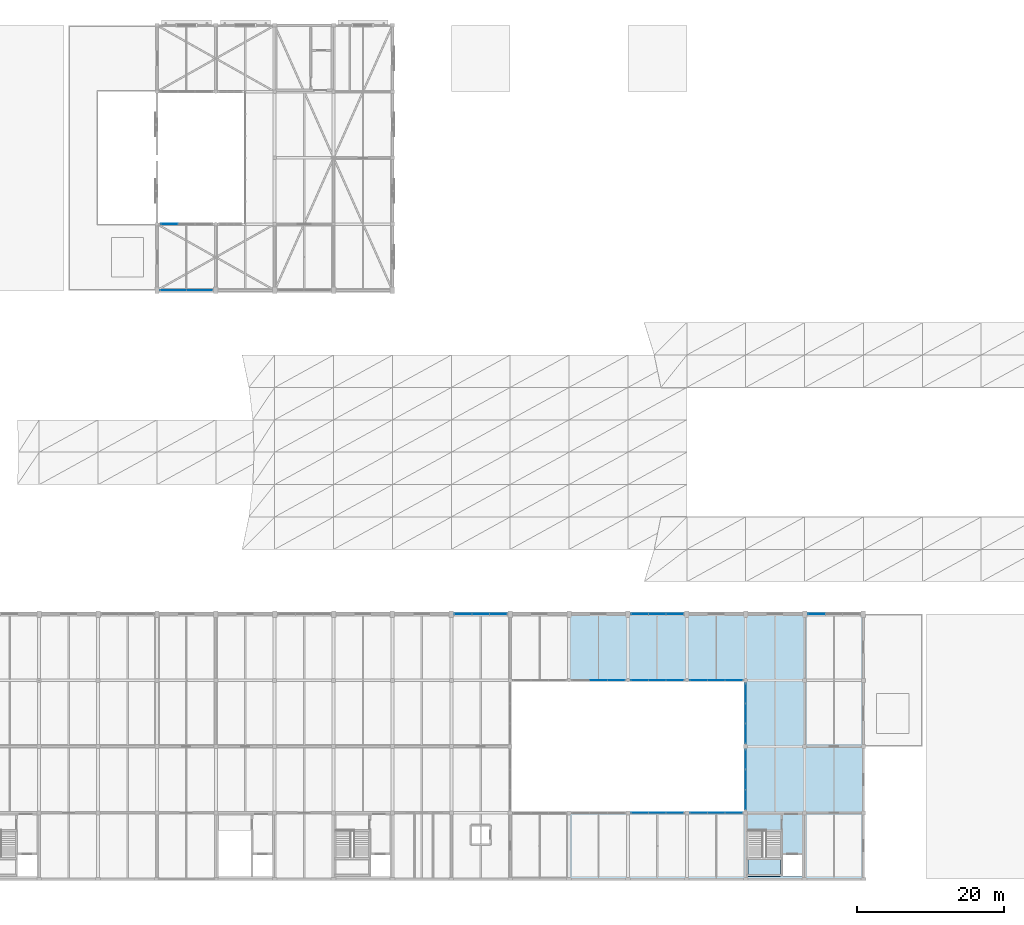
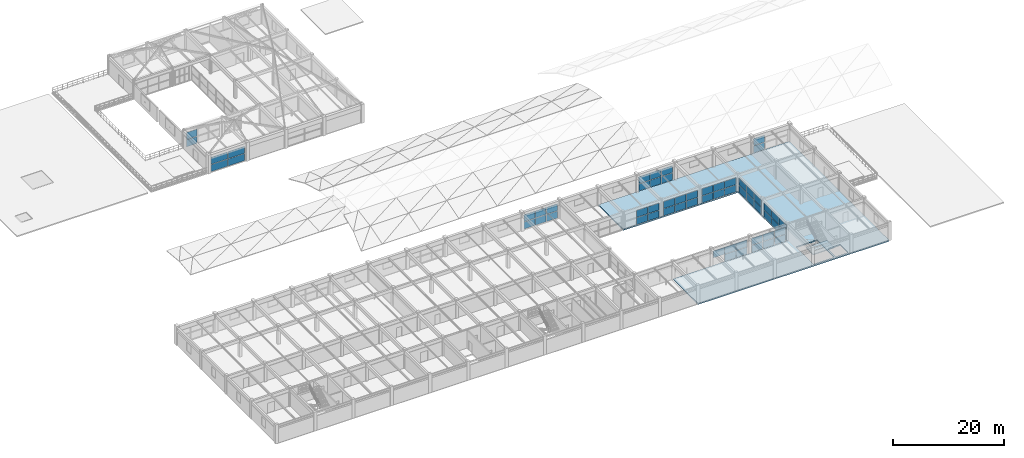
# One storey, part 38 of 63: 59 plates, 2 slabs, 13 elements without a shape of their own.
"""IFC4 building model written with IfcOpenShell, lengths in metres."""

from ifc_helpers import new_model, si_unit, direction, frame, origin, origin_2d, place, context, subcontext, project, spatial, polyline, rectangle, outline, extrude, material, layer, layer_set, type_object, element, aggregate, save


model = new_model("IFC4")

# Units and contexts
model_context = context("Model", 3, precision=1e-05, world=origin(), true_north=direction((0.0, 1.0)))
body_context = subcontext(model_context, "Body", "Model", "MODEL_VIEW")
ifc_project = project(units=[si_unit("LENGTHUNIT", "METRE"), si_unit("AREAUNIT", "SQUARE_METRE"), si_unit("VOLUMEUNIT", "CUBIC_METRE"), si_unit("PLANEANGLEUNIT", "RADIAN"), si_unit("MASSUNIT", "GRAM", prefix="KILO")], contexts=[model_context])

# Site, building, storey
site_placement = place(None, origin())
site = spatial("IfcSite", under=ifc_project, at=site_placement, CompositionType="ELEMENT")
building_placement = place(site_placement, origin())
building = spatial("IfcBuilding", under=site, at=building_placement, Name="Varnabhumi Central Station", CompositionType="ELEMENT")
storey_placement = place(building_placement, frame((0.0, 0.0, 20.39990234375)))
storey = spatial("IfcBuildingStorey", under=building, at=storey_placement, Name="L04", CompositionType="ELEMENT", Elevation=20.39990234375)

# Curtain wall, plates
ifc_material_1 = material(Name="Anodised aluminium 6063-T6", Category="aluminium")
curtain_wall_type_1 = type_object("IfcCurtainWallType", Name="CW-PATIO-LOGGIA-L3", PredefinedType="NOTDEFINED", material=ifc_material_1)
curtain_wall_1_placement = place(storey_placement, origin())
curtain_wall_1 = element("IfcCurtainWall", 1, at=curtain_wall_1_placement, inside=storey, type_object=curtain_wall_type_1, Name="Curtain Wall CW-SP4S3", PredefinedType="NOTDEFINED")
ifc_material_2 = material(Name="Laminated low-E double glazing", Category="glass")
ifc_layer_1 = layer(ifc_material_2, 0.035888671875, Name="Laminated low-E double glazing", Category="glass")
ifc_layer_set_1 = layer_set([ifc_layer_1], Name="Laminated low-E double glazing")
plate_type_1 = type_object("IfcPlateType", Name="CW-PNL-GLZ-1", PredefinedType="CURTAIN_PANEL", material=ifc_layer_set_1)
plate_1_placement = place(storey_placement, frame((129.61328125, 9.0, 1.66015625), z_axis=(0.0, 0.0, 1.0), x_axis=(1.0, 0.0, 0.0)))
plate_1 = element("IfcPlate", 2, at=plate_1_placement, type_object=plate_type_1, Name="Glazed Panel CW-SP4S3-P12", PredefinedType="CURTAIN_PANEL", context=body_context, shape_type="SweptSolid", body=[
    extrude(rectangle(XDim=2.306640625, YDim=0.035888671875, at=origin_2d()), origin(), (0.0, 0.0, 1.0), 1.5400390625),
])
plate_2_placement = place(storey_placement, frame((132.0, 9.0, 0.0400390625), z_axis=(0.0, 0.0, 1.0), x_axis=(1.0, 0.0, 0.0)))
plate_2 = element("IfcPlate", 3, at=plate_2_placement, type_object=plate_type_1, Name="Glazed Panel CW-SP4S3-P21", PredefinedType="CURTAIN_PANEL", context=body_context, shape_type="SweptSolid", body=[
    extrude(rectangle(XDim=2.306640625, YDim=0.035888671875, at=origin_2d()), origin(), (0.0, 0.0, 1.0), 1.5400390625),
])
plate_3_placement = place(storey_placement, frame((132.0, 9.0, 1.66015625), z_axis=(0.0, 0.0, 1.0), x_axis=(1.0, 0.0, 0.0)))
plate_3 = element("IfcPlate", 4, at=plate_3_placement, type_object=plate_type_1, Name="Glazed Panel CW-SP4S3-P22", PredefinedType="CURTAIN_PANEL", context=body_context, shape_type="SweptSolid", body=[
    extrude(rectangle(XDim=2.306640625, YDim=0.035888671875, at=origin_2d()), origin(), (0.0, 0.0, 1.0), 1.5400390625),
])
plate_4_placement = place(storey_placement, frame((134.38671875, 9.0, 0.0400390625), z_axis=(0.0, 0.0, 1.0), x_axis=(1.0, 0.0, 0.0)))
plate_4 = element("IfcPlate", 5, at=plate_4_placement, type_object=plate_type_1, Name="Glazed Panel CW-SP4S3-P31", PredefinedType="CURTAIN_PANEL", context=body_context, shape_type="SweptSolid", body=[
    extrude(rectangle(XDim=2.306640625, YDim=0.035888671875, at=origin_2d()), origin(), (0.0, 0.0, 1.0), 1.5400390625),
])
plate_5_placement = place(storey_placement, frame((134.38671875, 9.0, 1.66015625), z_axis=(0.0, 0.0, 1.0), x_axis=(1.0, 0.0, 0.0)))
plate_5 = element("IfcPlate", 6, at=plate_5_placement, type_object=plate_type_1, Name="Glazed Panel CW-SP4S3-P32", PredefinedType="CURTAIN_PANEL", context=body_context, shape_type="SweptSolid", body=[
    extrude(rectangle(XDim=2.306640625, YDim=0.035888671875, at=origin_2d()), origin(), (0.0, 0.0, 1.0), 1.5400390625),
])
aggregate(curtain_wall_1, [plate_1, plate_2, plate_3, plate_4, plate_5])

curtain_wall_2_placement = place(storey_placement, origin())
curtain_wall_2 = element("IfcCurtainWall", 7, at=curtain_wall_2_placement, inside=storey, type_object=curtain_wall_type_1, Name="Curtain Wall CW-SP4N3", PredefinedType="NOTDEFINED")
plate_6_placement = place(storey_placement, frame((129.61328125, 27.0, 0.0400390625), z_axis=(0.0, 0.0, 1.0), x_axis=(1.0, 0.0, 0.0)))
plate_6 = element("IfcPlate", 8, at=plate_6_placement, type_object=plate_type_1, Name="Glazed Panel CW-SP4N3-P11", PredefinedType="CURTAIN_PANEL", context=body_context, shape_type="SweptSolid", body=[
    extrude(rectangle(XDim=2.306640625, YDim=0.035888671875, at=origin_2d()), origin(), (0.0, 0.0, 1.0), 1.5400390625),
])
plate_7_placement = place(storey_placement, frame((129.61328125, 27.0, 1.66015625), z_axis=(0.0, 0.0, 1.0), x_axis=(1.0, 0.0, 0.0)))
plate_7 = element("IfcPlate", 9, at=plate_7_placement, type_object=plate_type_1, Name="Glazed Panel CW-SP4N3-P12", PredefinedType="CURTAIN_PANEL", context=body_context, shape_type="SweptSolid", body=[
    extrude(rectangle(XDim=2.306640625, YDim=0.035888671875, at=origin_2d()), origin(), (0.0, 0.0, 1.0), 1.5400390625),
])
plate_8_placement = place(storey_placement, frame((132.0, 27.0, 0.0400390625), z_axis=(0.0, 0.0, 1.0), x_axis=(1.0, 0.0, 0.0)))
plate_8 = element("IfcPlate", 10, at=plate_8_placement, type_object=plate_type_1, Name="Glazed Panel CW-SP4N3-P21", PredefinedType="CURTAIN_PANEL", context=body_context, shape_type="SweptSolid", body=[
    extrude(rectangle(XDim=2.306640625, YDim=0.035888671875, at=origin_2d()), origin(), (0.0, 0.0, 1.0), 1.5400390625),
])
plate_9_placement = place(storey_placement, frame((132.0, 27.0, 1.66015625), z_axis=(0.0, 0.0, 1.0), x_axis=(1.0, 0.0, 0.0)))
plate_9 = element("IfcPlate", 11, at=plate_9_placement, type_object=plate_type_1, Name="Glazed Panel CW-SP4N3-P22", PredefinedType="CURTAIN_PANEL", context=body_context, shape_type="SweptSolid", body=[
    extrude(rectangle(XDim=2.306640625, YDim=0.035888671875, at=origin_2d()), origin(), (0.0, 0.0, 1.0), 1.5400390625),
])
plate_10_placement = place(storey_placement, frame((134.38671875, 27.0, 0.0400390625), z_axis=(0.0, 0.0, 1.0), x_axis=(1.0, 0.0, 0.0)))
plate_10 = element("IfcPlate", 12, at=plate_10_placement, type_object=plate_type_1, Name="Glazed Panel CW-SP4N3-P31", PredefinedType="CURTAIN_PANEL", context=body_context, shape_type="SweptSolid", body=[
    extrude(rectangle(XDim=2.306640625, YDim=0.035888671875, at=origin_2d()), origin(), (0.0, 0.0, 1.0), 1.5400390625),
])
plate_11_placement = place(storey_placement, frame((134.38671875, 27.0, 1.66015625), z_axis=(0.0, 0.0, 1.0), x_axis=(1.0, 0.0, 0.0)))
plate_11 = element("IfcPlate", 13, at=plate_11_placement, type_object=plate_type_1, Name="Glazed Panel CW-SP4N3-P32", PredefinedType="CURTAIN_PANEL", context=body_context, shape_type="SweptSolid", body=[
    extrude(rectangle(XDim=2.306640625, YDim=0.035888671875, at=origin_2d()), origin(), (0.0, 0.0, 1.0), 1.5400390625),
])
aggregate(curtain_wall_2, [plate_6, plate_7, plate_8, plate_9, plate_10, plate_11])

curtain_wall_type_2 = type_object("IfcCurtainWallType", Name="CW-SPINE-SCREEN-L0", PredefinedType="NOTDEFINED", material=ifc_material_1)
curtain_wall_3_placement = place(storey_placement, origin())
curtain_wall_3 = element("IfcCurtainWall", 14, at=curtain_wall_3_placement, inside=storey, type_object=curtain_wall_type_2, Name="Curtain Wall CW-SS415", PredefinedType="NOTDEFINED")
ifc_layer_2 = layer(ifc_material_2, 0.035888671875, Name="Laminated low-E double glazing", Category="glass")
ifc_layer_set_2 = layer_set([ifc_layer_2], Name="Laminated low-E double glazing")
plate_type_2 = type_object("IfcPlateType", Name="CW-PNL-GLZ-2", PredefinedType="CURTAIN_PANEL", material=ifc_layer_set_2)
plate_12_placement = place(storey_placement, frame((153.63330078125, 36.0, 0.0400390625), z_axis=(0.0, 0.0, 1.0), x_axis=(1.0, 0.0, 0.0)))
plate_12 = element("IfcPlate", 15, at=plate_12_placement, type_object=plate_type_2, Name="Glazed Panel CW-SS415-P11", PredefinedType="CURTAIN_PANEL", context=body_context, shape_type="SweptSolid", body=[
    extrude(rectangle(XDim=2.28662109375, YDim=0.035888671875, at=origin_2d()), origin(), (0.0, 0.0, 1.0), 1.5400390625),
])
plate_13_placement = place(storey_placement, frame((153.63330078125, 36.0, 1.66015625), z_axis=(0.0, 0.0, 1.0), x_axis=(1.0, 0.0, 0.0)))
plate_13 = element("IfcPlate", 16, at=plate_13_placement, type_object=plate_type_2, Name="Glazed Panel CW-SS415-P12", PredefinedType="CURTAIN_PANEL", context=body_context, shape_type="SweptSolid", body=[
    extrude(rectangle(XDim=2.28662109375, YDim=0.035888671875, at=origin_2d()), origin(), (0.0, 0.0, 1.0), 1.5400390625),
])
aggregate(curtain_wall_3, [plate_12, plate_13])

curtain_wall_4_placement = place(storey_placement, origin())
curtain_wall_4 = element("IfcCurtainWall", 17, at=curtain_wall_4_placement, inside=storey, type_object=curtain_wall_type_1, Name="Curtain Wall CW-SP4S4", PredefinedType="NOTDEFINED")
plate_14_placement = place(storey_placement, frame((137.61328125, 9.0, 0.0400390625), z_axis=(0.0, 0.0, 1.0), x_axis=(1.0, 0.0, 0.0)))
plate_14 = element("IfcPlate", 18, at=plate_14_placement, type_object=plate_type_2, Name="Glazed Panel CW-SP4S4-P11", PredefinedType="CURTAIN_PANEL", context=body_context, shape_type="SweptSolid", body=[
    extrude(rectangle(XDim=2.306640625, YDim=0.035888671875, at=origin_2d()), origin(), (0.0, 0.0, 1.0), 1.5400390625),
])
plate_15_placement = place(storey_placement, frame((137.61328125, 9.0, 1.66015625), z_axis=(0.0, 0.0, 1.0), x_axis=(1.0, 0.0, 0.0)))
plate_15 = element("IfcPlate", 19, at=plate_15_placement, type_object=plate_type_2, Name="Glazed Panel CW-SP4S4-P12", PredefinedType="CURTAIN_PANEL", context=body_context, shape_type="SweptSolid", body=[
    extrude(rectangle(XDim=2.306640625, YDim=0.035888671875, at=origin_2d()), origin(), (0.0, 0.0, 1.0), 1.5400390625),
])
plate_16_placement = place(storey_placement, frame((140.0, 9.0, 0.0400390625), z_axis=(0.0, 0.0, 1.0), x_axis=(1.0, 0.0, 0.0)))
plate_16 = element("IfcPlate", 20, at=plate_16_placement, type_object=plate_type_2, Name="Glazed Panel CW-SP4S4-P21", PredefinedType="CURTAIN_PANEL", context=body_context, shape_type="SweptSolid", body=[
    extrude(rectangle(XDim=2.306640625, YDim=0.035888671875, at=origin_2d()), origin(), (0.0, 0.0, 1.0), 1.5400390625),
])
plate_17_placement = place(storey_placement, frame((140.0, 9.0, 1.66015625), z_axis=(0.0, 0.0, 1.0), x_axis=(1.0, 0.0, 0.0)))
plate_17 = element("IfcPlate", 21, at=plate_17_placement, type_object=plate_type_2, Name="Glazed Panel CW-SP4S4-P22", PredefinedType="CURTAIN_PANEL", context=body_context, shape_type="SweptSolid", body=[
    extrude(rectangle(XDim=2.306640625, YDim=0.035888671875, at=origin_2d()), origin(), (0.0, 0.0, 1.0), 1.5400390625),
])
plate_18_placement = place(storey_placement, frame((142.38671875, 9.0, 0.0400390625), z_axis=(0.0, 0.0, 1.0), x_axis=(1.0, 0.0, 0.0)))
plate_18 = element("IfcPlate", 22, at=plate_18_placement, type_object=plate_type_2, Name="Glazed Panel CW-SP4S4-P31", PredefinedType="CURTAIN_PANEL", context=body_context, shape_type="SweptSolid", body=[
    extrude(rectangle(XDim=2.306640625, YDim=0.035888671875, at=origin_2d()), origin(), (0.0, 0.0, 1.0), 1.5400390625),
])
plate_19_placement = place(storey_placement, frame((142.38671875, 9.0, 1.66015625), z_axis=(0.0, 0.0, 1.0), x_axis=(1.0, 0.0, 0.0)))
plate_19 = element("IfcPlate", 23, at=plate_19_placement, type_object=plate_type_2, Name="Glazed Panel CW-SP4S4-P32", PredefinedType="CURTAIN_PANEL", context=body_context, shape_type="SweptSolid", body=[
    extrude(rectangle(XDim=2.306640625, YDim=0.035888671875, at=origin_2d()), origin(), (0.0, 0.0, 1.0), 1.5400390625),
])
aggregate(curtain_wall_4, [plate_14, plate_15, plate_16, plate_17, plate_18, plate_19])

curtain_wall_5_placement = place(storey_placement, origin())
curtain_wall_5 = element("IfcCurtainWall", 24, at=curtain_wall_5_placement, inside=storey, type_object=curtain_wall_type_1, Name="Curtain Wall CW-SP4N4", PredefinedType="NOTDEFINED")
plate_20_placement = place(storey_placement, frame((137.61328125, 27.0, 0.0400390625), z_axis=(0.0, 0.0, 1.0), x_axis=(1.0, 0.0, 0.0)))
plate_20 = element("IfcPlate", 25, at=plate_20_placement, type_object=plate_type_2, Name="Glazed Panel CW-SP4N4-P11", PredefinedType="CURTAIN_PANEL", context=body_context, shape_type="SweptSolid", body=[
    extrude(rectangle(XDim=2.306640625, YDim=0.035888671875, at=origin_2d()), origin(), (0.0, 0.0, 1.0), 1.5400390625),
])
plate_21_placement = place(storey_placement, frame((137.61328125, 27.0, 1.66015625), z_axis=(0.0, 0.0, 1.0), x_axis=(1.0, 0.0, 0.0)))
plate_21 = element("IfcPlate", 26, at=plate_21_placement, type_object=plate_type_2, Name="Glazed Panel CW-SP4N4-P12", PredefinedType="CURTAIN_PANEL", context=body_context, shape_type="SweptSolid", body=[
    extrude(rectangle(XDim=2.306640625, YDim=0.035888671875, at=origin_2d()), origin(), (0.0, 0.0, 1.0), 1.5400390625),
])
plate_22_placement = place(storey_placement, frame((140.0, 27.0, 0.0400390625), z_axis=(0.0, 0.0, 1.0), x_axis=(1.0, 0.0, 0.0)))
plate_22 = element("IfcPlate", 27, at=plate_22_placement, type_object=plate_type_2, Name="Glazed Panel CW-SP4N4-P21", PredefinedType="CURTAIN_PANEL", context=body_context, shape_type="SweptSolid", body=[
    extrude(rectangle(XDim=2.306640625, YDim=0.035888671875, at=origin_2d()), origin(), (0.0, 0.0, 1.0), 1.5400390625),
])
plate_23_placement = place(storey_placement, frame((140.0, 27.0, 1.66015625), z_axis=(0.0, 0.0, 1.0), x_axis=(1.0, 0.0, 0.0)))
plate_23 = element("IfcPlate", 28, at=plate_23_placement, type_object=plate_type_2, Name="Glazed Panel CW-SP4N4-P22", PredefinedType="CURTAIN_PANEL", context=body_context, shape_type="SweptSolid", body=[
    extrude(rectangle(XDim=2.306640625, YDim=0.035888671875, at=origin_2d()), origin(), (0.0, 0.0, 1.0), 1.5400390625),
])
plate_24_placement = place(storey_placement, frame((142.38671875, 27.0, 0.0400390625), z_axis=(0.0, 0.0, 1.0), x_axis=(1.0, 0.0, 0.0)))
plate_24 = element("IfcPlate", 29, at=plate_24_placement, type_object=plate_type_2, Name="Glazed Panel CW-SP4N4-P31", PredefinedType="CURTAIN_PANEL", context=body_context, shape_type="SweptSolid", body=[
    extrude(rectangle(XDim=2.306640625, YDim=0.035888671875, at=origin_2d()), origin(), (0.0, 0.0, 1.0), 1.5400390625),
])
plate_25_placement = place(storey_placement, frame((142.38671875, 27.0, 1.66015625), z_axis=(0.0, 0.0, 1.0), x_axis=(1.0, 0.0, 0.0)))
plate_25 = element("IfcPlate", 30, at=plate_25_placement, type_object=plate_type_2, Name="Glazed Panel CW-SP4N4-P32", PredefinedType="CURTAIN_PANEL", context=body_context, shape_type="SweptSolid", body=[
    extrude(rectangle(XDim=2.306640625, YDim=0.035888671875, at=origin_2d()), origin(), (0.0, 0.0, 1.0), 1.5400390625),
])
aggregate(curtain_wall_5, [plate_20, plate_21, plate_22, plate_23, plate_24, plate_25])

curtain_wall_6_placement = place(storey_placement, origin())
curtain_wall_6 = element("IfcCurtainWall", 31, at=curtain_wall_6_placement, inside=storey, type_object=curtain_wall_type_1, Name="Curtain Wall CW-SP4W1", PredefinedType="NOTDEFINED")
ifc_layer_3 = layer(ifc_material_2, 0.035888671875, Name="Laminated low-E double glazing", Category="glass")
ifc_layer_set_3 = layer_set([ifc_layer_3], Name="Laminated low-E double glazing")
plate_type_3 = type_object("IfcPlateType", Name="CW-PNL-GLZ-3", PredefinedType="CURTAIN_PANEL", material=ifc_layer_set_3)
plate_26_placement = place(storey_placement, frame((144.0, 10.780029296875, 0.0400390625), z_axis=(0.0, 0.0, 1.0), x_axis=(0.0, 1.0, 0.0)))
plate_26 = element("IfcPlate", 32, at=plate_26_placement, type_object=plate_type_3, Name="Glazed Panel CW-SP4W1-P11", PredefinedType="CURTAIN_PANEL", context=body_context, shape_type="SweptSolid", body=[
    extrude(rectangle(XDim=2.639892578125, YDim=0.035888671875, at=origin_2d()), origin(), (0.0, 0.0, 1.0), 1.5400390625),
])
plate_27_placement = place(storey_placement, frame((144.0, 10.780029296875, 1.66015625), z_axis=(0.0, 0.0, 1.0), x_axis=(0.0, 1.0, 0.0)))
plate_27 = element("IfcPlate", 33, at=plate_27_placement, type_object=plate_type_3, Name="Glazed Panel CW-SP4W1-P12", PredefinedType="CURTAIN_PANEL", context=body_context, shape_type="SweptSolid", body=[
    extrude(rectangle(XDim=2.639892578125, YDim=0.035888671875, at=origin_2d()), origin(), (0.0, 0.0, 1.0), 1.5400390625),
])
plate_28_placement = place(storey_placement, frame((144.0, 13.5, 0.0400390625), z_axis=(0.0, 0.0, 1.0), x_axis=(0.0, 1.0, 0.0)))
plate_28 = element("IfcPlate", 34, at=plate_28_placement, type_object=plate_type_3, Name="Glazed Panel CW-SP4W1-P21", PredefinedType="CURTAIN_PANEL", context=body_context, shape_type="SweptSolid", body=[
    extrude(rectangle(XDim=2.639892578125, YDim=0.035888671875, at=origin_2d()), origin(), (0.0, 0.0, 1.0), 1.5400390625),
])
plate_29_placement = place(storey_placement, frame((144.0, 13.5, 1.66015625), z_axis=(0.0, 0.0, 1.0), x_axis=(0.0, 1.0, 0.0)))
plate_29 = element("IfcPlate", 35, at=plate_29_placement, type_object=plate_type_3, Name="Glazed Panel CW-SP4W1-P22", PredefinedType="CURTAIN_PANEL", context=body_context, shape_type="SweptSolid", body=[
    extrude(rectangle(XDim=2.639892578125, YDim=0.035888671875, at=origin_2d()), origin(), (0.0, 0.0, 1.0), 1.5400390625),
])
plate_30_placement = place(storey_placement, frame((144.0, 16.219970703125, 0.0400390625), z_axis=(0.0, 0.0, 1.0), x_axis=(0.0, 1.0, 0.0)))
plate_30 = element("IfcPlate", 36, at=plate_30_placement, type_object=plate_type_3, Name="Glazed Panel CW-SP4W1-P31", PredefinedType="CURTAIN_PANEL", context=body_context, shape_type="SweptSolid", body=[
    extrude(rectangle(XDim=2.639892578125, YDim=0.035888671875, at=origin_2d()), origin(), (0.0, 0.0, 1.0), 1.5400390625),
])
plate_31_placement = place(storey_placement, frame((144.0, 16.219970703125, 1.66015625), z_axis=(0.0, 0.0, 1.0), x_axis=(0.0, 1.0, 0.0)))
plate_31 = element("IfcPlate", 37, at=plate_31_placement, type_object=plate_type_3, Name="Glazed Panel CW-SP4W1-P32", PredefinedType="CURTAIN_PANEL", context=body_context, shape_type="SweptSolid", body=[
    extrude(rectangle(XDim=2.639892578125, YDim=0.035888671875, at=origin_2d()), origin(), (0.0, 0.0, 1.0), 1.5400390625),
])
aggregate(curtain_wall_6, [plate_26, plate_27, plate_28, plate_29, plate_30, plate_31])

curtain_wall_7_placement = place(storey_placement, origin())
curtain_wall_7 = element("IfcCurtainWall", 38, at=curtain_wall_7_placement, inside=storey, type_object=curtain_wall_type_1, Name="Curtain Wall CW-SP4W2", PredefinedType="NOTDEFINED")
plate_32_placement = place(storey_placement, frame((144.0, 19.780029296875, 0.0400390625), z_axis=(0.0, 0.0, 1.0), x_axis=(0.0, 1.0, 0.0)))
plate_32 = element("IfcPlate", 39, at=plate_32_placement, type_object=plate_type_3, Name="Glazed Panel CW-SP4W2-P11", PredefinedType="CURTAIN_PANEL", context=body_context, shape_type="SweptSolid", body=[
    extrude(rectangle(XDim=2.639892578125, YDim=0.035888671875, at=origin_2d()), origin(), (0.0, 0.0, 1.0), 1.5400390625),
])
plate_33_placement = place(storey_placement, frame((144.0, 19.780029296875, 1.66015625), z_axis=(0.0, 0.0, 1.0), x_axis=(0.0, 1.0, 0.0)))
plate_33 = element("IfcPlate", 40, at=plate_33_placement, type_object=plate_type_3, Name="Glazed Panel CW-SP4W2-P12", PredefinedType="CURTAIN_PANEL", context=body_context, shape_type="SweptSolid", body=[
    extrude(rectangle(XDim=2.639892578125, YDim=0.035888671875, at=origin_2d()), origin(), (0.0, 0.0, 1.0), 1.5400390625),
])
plate_34_placement = place(storey_placement, frame((144.0, 22.5, 0.0400390625), z_axis=(0.0, 0.0, 1.0), x_axis=(0.0, 1.0, 0.0)))
plate_34 = element("IfcPlate", 41, at=plate_34_placement, type_object=plate_type_3, Name="Glazed Panel CW-SP4W2-P21", PredefinedType="CURTAIN_PANEL", context=body_context, shape_type="SweptSolid", body=[
    extrude(rectangle(XDim=2.639892578125, YDim=0.035888671875, at=origin_2d()), origin(), (0.0, 0.0, 1.0), 1.5400390625),
])
plate_35_placement = place(storey_placement, frame((144.0, 22.5, 1.66015625), z_axis=(0.0, 0.0, 1.0), x_axis=(0.0, 1.0, 0.0)))
plate_35 = element("IfcPlate", 42, at=plate_35_placement, type_object=plate_type_3, Name="Glazed Panel CW-SP4W2-P22", PredefinedType="CURTAIN_PANEL", context=body_context, shape_type="SweptSolid", body=[
    extrude(rectangle(XDim=2.639892578125, YDim=0.035888671875, at=origin_2d()), origin(), (0.0, 0.0, 1.0), 1.5400390625),
])
plate_36_placement = place(storey_placement, frame((144.0, 25.219970703125, 0.0400390625), z_axis=(0.0, 0.0, 1.0), x_axis=(0.0, 1.0, 0.0)))
plate_36 = element("IfcPlate", 43, at=plate_36_placement, type_object=plate_type_3, Name="Glazed Panel CW-SP4W2-P31", PredefinedType="CURTAIN_PANEL", context=body_context, shape_type="SweptSolid", body=[
    extrude(rectangle(XDim=2.639892578125, YDim=0.035888671875, at=origin_2d()), origin(), (0.0, 0.0, 1.0), 1.5400390625),
])
plate_37_placement = place(storey_placement, frame((144.0, 25.219970703125, 1.66015625), z_axis=(0.0, 0.0, 1.0), x_axis=(0.0, 1.0, 0.0)))
plate_37 = element("IfcPlate", 44, at=plate_37_placement, type_object=plate_type_3, Name="Glazed Panel CW-SP4W2-P32", PredefinedType="CURTAIN_PANEL", context=body_context, shape_type="SweptSolid", body=[
    extrude(rectangle(XDim=2.639892578125, YDim=0.035888671875, at=origin_2d()), origin(), (0.0, 0.0, 1.0), 1.5400390625),
])
aggregate(curtain_wall_7, [plate_32, plate_33, plate_34, plate_35, plate_36, plate_37])

curtain_wall_8_placement = place(storey_placement, origin())
curtain_wall_8 = element("IfcCurtainWall", 45, at=curtain_wall_8_placement, inside=storey, type_object=curtain_wall_type_1, Name="Curtain Wall CW-NP4S1", PredefinedType="NOTDEFINED")
ifc_layer_4 = layer(ifc_material_2, 0.035888671875, Name="Laminated low-E double glazing", Category="glass")
ifc_layer_set_4 = layer_set([ifc_layer_4], Name="Laminated low-E double glazing")
plate_type_4 = type_object("IfcPlateType", Name="CW-PNL-GLZ-4", PredefinedType="CURTAIN_PANEL", material=ifc_layer_set_4)
plate_38_placement = place(storey_placement, frame((65.679931640625, 89.0, 0.0400390625), z_axis=(0.0, 0.0, 1.0), x_axis=(1.0, 0.0, 0.0)))
plate_38 = element("IfcPlate", 46, at=plate_38_placement, type_object=plate_type_4, Name="Glazed Panel CW-NP4S1-P11", PredefinedType="CURTAIN_PANEL", context=body_context, shape_type="SweptSolid", body=[
    extrude(rectangle(XDim=2.239990234375, YDim=0.035888671875, at=origin_2d()), origin(), (0.0, 0.0, 1.0), 1.5400390625),
])
plate_39_placement = place(storey_placement, frame((65.679931640625, 89.0, 1.66015625), z_axis=(0.0, 0.0, 1.0), x_axis=(1.0, 0.0, 0.0)))
plate_39 = element("IfcPlate", 47, at=plate_39_placement, type_object=plate_type_4, Name="Glazed Panel CW-NP4S1-P12", PredefinedType="CURTAIN_PANEL", context=body_context, shape_type="SweptSolid", body=[
    extrude(rectangle(XDim=2.239990234375, YDim=0.035888671875, at=origin_2d()), origin(), (0.0, 0.0, 1.0), 1.5400390625),
])
aggregate(curtain_wall_8, [plate_38, plate_39])

curtain_wall_9_placement = place(storey_placement, origin())
curtain_wall_9 = element("IfcCurtainWall", 48, at=curtain_wall_9_placement, inside=storey, type_object=curtain_wall_type_2, Name="Curtain Wall CW-NS400", PredefinedType="NOTDEFINED")
ifc_layer_5 = layer(ifc_material_2, 0.035888671875, Name="Laminated low-E double glazing", Category="glass")
ifc_layer_set_5 = layer_set([ifc_layer_5], Name="Laminated low-E double glazing")
plate_type_5 = type_object("IfcPlateType", Name="CW-PNL-GLZ-5", PredefinedType="CURTAIN_PANEL", material=ifc_layer_set_5)
plate_40_placement = place(storey_placement, frame((66.22509765625, 80.0, 0.0400390625), z_axis=(0.0, 0.0, 1.0), x_axis=(1.0, 0.0, 0.0)))
plate_40 = element("IfcPlate", 49, at=plate_40_placement, type_object=plate_type_5, Name="Glazed Panel CW-NS400-P11", PredefinedType="CURTAIN_PANEL", context=body_context, shape_type="SweptSolid", body=[
    extrude(rectangle(XDim=3.469970703125, YDim=0.035888671875, at=origin_2d()), origin(), (0.0, 0.0, 1.0), 1.5400390625),
])
plate_41_placement = place(storey_placement, frame((66.22509765625, 80.0, 1.66015625), z_axis=(0.0, 0.0, 1.0), x_axis=(1.0, 0.0, 0.0)))
plate_41 = element("IfcPlate", 50, at=plate_41_placement, type_object=plate_type_5, Name="Glazed Panel CW-NS400-P12", PredefinedType="CURTAIN_PANEL", context=body_context, shape_type="SweptSolid", body=[
    extrude(rectangle(XDim=3.469970703125, YDim=0.035888671875, at=origin_2d()), origin(), (0.0, 0.0, 1.0), 1.5400390625),
])
plate_42_placement = place(storey_placement, frame((69.77490234375, 80.0, 0.0400390625), z_axis=(0.0, 0.0, 1.0), x_axis=(1.0, 0.0, 0.0)))
plate_42 = element("IfcPlate", 51, at=plate_42_placement, type_object=plate_type_5, Name="Glazed Panel CW-NS400-P21", PredefinedType="CURTAIN_PANEL", context=body_context, shape_type="SweptSolid", body=[
    extrude(rectangle(XDim=3.469970703125, YDim=0.035888671875, at=origin_2d()), origin(), (0.0, 0.0, 1.0), 1.5400390625),
])
plate_43_placement = place(storey_placement, frame((69.77490234375, 80.0, 1.66015625), z_axis=(0.0, 0.0, 1.0), x_axis=(1.0, 0.0, 0.0)))
plate_43 = element("IfcPlate", 52, at=plate_43_placement, type_object=plate_type_5, Name="Glazed Panel CW-NS400-P22", PredefinedType="CURTAIN_PANEL", context=body_context, shape_type="SweptSolid", body=[
    extrude(rectangle(XDim=3.469970703125, YDim=0.035888671875, at=origin_2d()), origin(), (0.0, 0.0, 1.0), 1.5400390625),
])
aggregate(curtain_wall_9, [plate_40, plate_41, plate_42, plate_43])

curtain_wall_10_placement = place(storey_placement, origin())
curtain_wall_10 = element("IfcCurtainWall", 53, at=curtain_wall_10_placement, inside=storey, type_object=curtain_wall_type_2, Name="Curtain Wall CW-SS409", PredefinedType="NOTDEFINED")
plate_44_placement = place(storey_placement, frame((105.63330078125, 36.0, 0.0400390625), z_axis=(0.0, 0.0, 1.0), x_axis=(1.0, 0.0, 0.0)))
plate_44 = element("IfcPlate", 54, at=plate_44_placement, type_object=plate_type_5, Name="Glazed Panel CW-SS409-P11", PredefinedType="CURTAIN_PANEL", context=body_context, shape_type="SweptSolid", body=[
    extrude(rectangle(XDim=2.28662109375, YDim=0.035888671875, at=origin_2d()), origin(), (0.0, 0.0, 1.0), 1.5400390625),
])
plate_45_placement = place(storey_placement, frame((105.63330078125, 36.0, 1.66015625), z_axis=(0.0, 0.0, 1.0), x_axis=(1.0, 0.0, 0.0)))
plate_45 = element("IfcPlate", 55, at=plate_45_placement, type_object=plate_type_5, Name="Glazed Panel CW-SS409-P12", PredefinedType="CURTAIN_PANEL", context=body_context, shape_type="SweptSolid", body=[
    extrude(rectangle(XDim=2.28662109375, YDim=0.035888671875, at=origin_2d()), origin(), (0.0, 0.0, 1.0), 1.5400390625),
])
plate_46_placement = place(storey_placement, frame((108.0, 36.0, 0.0400390625), z_axis=(0.0, 0.0, 1.0), x_axis=(1.0, 0.0, 0.0)))
plate_46 = element("IfcPlate", 56, at=plate_46_placement, type_object=plate_type_5, Name="Glazed Panel CW-SS409-P21", PredefinedType="CURTAIN_PANEL", context=body_context, shape_type="SweptSolid", body=[
    extrude(rectangle(XDim=2.28662109375, YDim=0.035888671875, at=origin_2d()), origin(), (0.0, 0.0, 1.0), 1.5400390625),
])
plate_47_placement = place(storey_placement, frame((108.0, 36.0, 1.66015625), z_axis=(0.0, 0.0, 1.0), x_axis=(1.0, 0.0, 0.0)))
plate_47 = element("IfcPlate", 57, at=plate_47_placement, type_object=plate_type_5, Name="Glazed Panel CW-SS409-P22", PredefinedType="CURTAIN_PANEL", context=body_context, shape_type="SweptSolid", body=[
    extrude(rectangle(XDim=2.28662109375, YDim=0.035888671875, at=origin_2d()), origin(), (0.0, 0.0, 1.0), 1.5400390625),
])
plate_48_placement = place(storey_placement, frame((110.36669921875, 36.0, 0.0400390625), z_axis=(0.0, 0.0, 1.0), x_axis=(1.0, 0.0, 0.0)))
plate_48 = element("IfcPlate", 58, at=plate_48_placement, type_object=plate_type_5, Name="Glazed Panel CW-SS409-P31", PredefinedType="CURTAIN_PANEL", context=body_context, shape_type="SweptSolid", body=[
    extrude(rectangle(XDim=2.28662109375, YDim=0.035888671875, at=origin_2d()), origin(), (0.0, 0.0, 1.0), 1.5400390625),
])
plate_49_placement = place(storey_placement, frame((110.36669921875, 36.0, 1.66015625), z_axis=(0.0, 0.0, 1.0), x_axis=(1.0, 0.0, 0.0)))
plate_49 = element("IfcPlate", 59, at=plate_49_placement, type_object=plate_type_5, Name="Glazed Panel CW-SS409-P32", PredefinedType="CURTAIN_PANEL", context=body_context, shape_type="SweptSolid", body=[
    extrude(rectangle(XDim=2.28662109375, YDim=0.035888671875, at=origin_2d()), origin(), (0.0, 0.0, 1.0), 1.5400390625),
])
aggregate(curtain_wall_10, [plate_44, plate_45, plate_46, plate_47, plate_48, plate_49])

curtain_wall_11_placement = place(storey_placement, origin())
curtain_wall_11 = element("IfcCurtainWall", 60, at=curtain_wall_11_placement, inside=storey, type_object=curtain_wall_type_2, Name="Curtain Wall CW-SS412", PredefinedType="NOTDEFINED")
ifc_layer_6 = layer(ifc_material_2, 0.035888671875, Name="Laminated low-E double glazing", Category="glass")
ifc_layer_set_6 = layer_set([ifc_layer_6], Name="Laminated low-E double glazing")
plate_type_6 = type_object("IfcPlateType", Name="CW-PNL-GLZ-8", PredefinedType="CURTAIN_PANEL", material=ifc_layer_set_6)
plate_50_placement = place(storey_placement, frame((129.63330078125, 36.0, 0.0400390625), z_axis=(0.0, 0.0, 1.0), x_axis=(1.0, 0.0, 0.0)))
plate_50 = element("IfcPlate", 61, at=plate_50_placement, type_object=plate_type_6, Name="Glazed Panel CW-SS412-P11", PredefinedType="CURTAIN_PANEL", context=body_context, shape_type="SweptSolid", body=[
    extrude(rectangle(XDim=2.28662109375, YDim=0.035888671875, at=origin_2d()), origin(), (0.0, 0.0, 1.0), 1.5400390625),
])
plate_51_placement = place(storey_placement, frame((129.63330078125, 36.0, 1.66015625), z_axis=(0.0, 0.0, 1.0), x_axis=(1.0, 0.0, 0.0)))
plate_51 = element("IfcPlate", 62, at=plate_51_placement, type_object=plate_type_6, Name="Glazed Panel CW-SS412-P12", PredefinedType="CURTAIN_PANEL", context=body_context, shape_type="SweptSolid", body=[
    extrude(rectangle(XDim=2.28662109375, YDim=0.035888671875, at=origin_2d()), origin(), (0.0, 0.0, 1.0), 1.5400390625),
])
plate_52_placement = place(storey_placement, frame((132.0, 36.0, 0.0400390625), z_axis=(0.0, 0.0, 1.0), x_axis=(1.0, 0.0, 0.0)))
plate_52 = element("IfcPlate", 63, at=plate_52_placement, type_object=plate_type_6, Name="Glazed Panel CW-SS412-P21", PredefinedType="CURTAIN_PANEL", context=body_context, shape_type="SweptSolid", body=[
    extrude(rectangle(XDim=2.28662109375, YDim=0.035888671875, at=origin_2d()), origin(), (0.0, 0.0, 1.0), 1.5400390625),
])
plate_53_placement = place(storey_placement, frame((132.0, 36.0, 1.66015625), z_axis=(0.0, 0.0, 1.0), x_axis=(1.0, 0.0, 0.0)))
plate_53 = element("IfcPlate", 64, at=plate_53_placement, type_object=plate_type_6, Name="Glazed Panel CW-SS412-P22", PredefinedType="CURTAIN_PANEL", context=body_context, shape_type="SweptSolid", body=[
    extrude(rectangle(XDim=2.28662109375, YDim=0.035888671875, at=origin_2d()), origin(), (0.0, 0.0, 1.0), 1.5400390625),
])
plate_54_placement = place(storey_placement, frame((134.36669921875, 36.0, 0.0400390625), z_axis=(0.0, 0.0, 1.0), x_axis=(1.0, 0.0, 0.0)))
plate_54 = element("IfcPlate", 65, at=plate_54_placement, type_object=plate_type_6, Name="Glazed Panel CW-SS412-P31", PredefinedType="CURTAIN_PANEL", context=body_context, shape_type="SweptSolid", body=[
    extrude(rectangle(XDim=2.28662109375, YDim=0.035888671875, at=origin_2d()), origin(), (0.0, 0.0, 1.0), 1.5400390625),
])
plate_55_placement = place(storey_placement, frame((134.36669921875, 36.0, 1.66015625), z_axis=(0.0, 0.0, 1.0), x_axis=(1.0, 0.0, 0.0)))
plate_55 = element("IfcPlate", 66, at=plate_55_placement, type_object=plate_type_6, Name="Glazed Panel CW-SS412-P32", PredefinedType="CURTAIN_PANEL", context=body_context, shape_type="SweptSolid", body=[
    extrude(rectangle(XDim=2.28662109375, YDim=0.035888671875, at=origin_2d()), origin(), (0.0, 0.0, 1.0), 1.5400390625),
])
aggregate(curtain_wall_11, [plate_50, plate_51, plate_52, plate_53, plate_54, plate_55])

curtain_wall_12_placement = place(storey_placement, origin())
curtain_wall_12 = element("IfcCurtainWall", 67, at=curtain_wall_12_placement, inside=storey, type_object=curtain_wall_type_1, Name="Curtain Wall CW-SP4N2", PredefinedType="NOTDEFINED")
ifc_layer_7 = layer(ifc_material_2, 0.035888671875, Name="Laminated low-E double glazing", Category="glass")
ifc_layer_set_7 = layer_set([ifc_layer_7], Name="Laminated low-E double glazing")
plate_type_7 = type_object("IfcPlateType", Name="CW-PNL-GLZ-9", PredefinedType="CURTAIN_PANEL", material=ifc_layer_set_7)
plate_56_placement = place(storey_placement, frame((124.0, 27.0, 0.0400390625), z_axis=(0.0, 0.0, 1.0), x_axis=(1.0, 0.0, 0.0)))
plate_56 = element("IfcPlate", 68, at=plate_56_placement, type_object=plate_type_7, Name="Glazed Panel CW-SP4N2-P21", PredefinedType="CURTAIN_PANEL", context=body_context, shape_type="SweptSolid", body=[
    extrude(rectangle(XDim=2.306640625, YDim=0.035888671875, at=origin_2d()), origin(), (0.0, 0.0, 1.0), 1.5400390625),
])
plate_57_placement = place(storey_placement, frame((124.0, 27.0, 1.66015625), z_axis=(0.0, 0.0, 1.0), x_axis=(1.0, 0.0, 0.0)))
plate_57 = element("IfcPlate", 69, at=plate_57_placement, type_object=plate_type_7, Name="Glazed Panel CW-SP4N2-P22", PredefinedType="CURTAIN_PANEL", context=body_context, shape_type="SweptSolid", body=[
    extrude(rectangle(XDim=2.306640625, YDim=0.035888671875, at=origin_2d()), origin(), (0.0, 0.0, 1.0), 1.5400390625),
])
plate_58_placement = place(storey_placement, frame((126.38671875, 27.0, 0.0400390625), z_axis=(0.0, 0.0, 1.0), x_axis=(1.0, 0.0, 0.0)))
plate_58 = element("IfcPlate", 70, at=plate_58_placement, type_object=plate_type_7, Name="Glazed Panel CW-SP4N2-P31", PredefinedType="CURTAIN_PANEL", context=body_context, shape_type="SweptSolid", body=[
    extrude(rectangle(XDim=2.306640625, YDim=0.035888671875, at=origin_2d()), origin(), (0.0, 0.0, 1.0), 1.5400390625),
])
plate_59_placement = place(storey_placement, frame((126.38671875, 27.0, 1.66015625), z_axis=(0.0, 0.0, 1.0), x_axis=(1.0, 0.0, 0.0)))
plate_59 = element("IfcPlate", 71, at=plate_59_placement, type_object=plate_type_7, Name="Glazed Panel CW-SP4N2-P32", PredefinedType="CURTAIN_PANEL", context=body_context, shape_type="SweptSolid", body=[
    extrude(rectangle(XDim=2.306640625, YDim=0.035888671875, at=origin_2d()), origin(), (0.0, 0.0, 1.0), 1.5400390625),
])
aggregate(curtain_wall_12, [plate_56, plate_57, plate_58, plate_59])

# Slab
ifc_material_3 = material(Name="Concrete M40", Category="concrete")
ifc_layer_8 = layer(ifc_material_3, 0.280029296875, Name="Concrete M40", Category="concrete")
ifc_layer_set_8 = layer_set([ifc_layer_8], Name="Concrete M40")
slab_type_1 = type_object("IfcSlabType", Name="SLB-OPS-HEAVY-280", PredefinedType="FLOOR", material=ifc_layer_set_8)
slab_1_placement = place(storey_placement, frame((0.0, 0.0, -0.27978515625)))
element("IfcSlab", 72, at=slab_1_placement, inside=storey, type_object=slab_type_1, Name="South Wing L04 Floor Slab Zone 3", PredefinedType="FLOOR", context=body_context, shape_type="SweptSolid", body=[
    extrude(outline(polyline([(120.06005859375, 0.0), (160.0, 0.0), (160.0, 36.0), (120.06005859375, 36.0), (120.06005859375, 27.0), (144.0, 27.0), (144.0, 9.0), (120.06005859375, 9.0), (120.06005859375, 0.0)]), holes=[polyline([(144.330078125, 0.35009765625), (148.760009765625, 0.35009765625), (148.760009765625, 6.580078125), (144.330078125, 6.580078125), (144.330078125, 0.35009765625)]), polyline([(149.0400390625, 0.35009765625), (151.669921875, 0.35009765625), (151.669921875, 3.25), (149.0400390625, 3.25), (149.0400390625, 0.35009765625)])]), origin(), (0.0, 0.0, 1.0), 0.27978515625),
])

# Stair, slab
stair_type = type_object("IfcStairType", Name="STR-CORE-4200", PredefinedType="DOUBLE_RETURN_STAIR", material=ifc_material_3)
stair_placement = place(storey_placement, origin())
stair = element("IfcStair", 73, at=stair_placement, inside=storey, type_object=stair_type, Name="Core Stair ST-S3 (L04)", PredefinedType="DOUBLE_RETURN_STAIR")
ifc_layer_9 = layer(ifc_material_3, 0.179931640625, Name="Concrete M40", Category="concrete")
ifc_layer_set_9 = layer_set([ifc_layer_9], Name="Concrete M40")
slab_type_2 = type_object("IfcSlabType", Name="SLB-STAIR-LAND", PredefinedType="LANDING", material=ifc_layer_set_9)
slab_2_placement = place(storey_placement, frame((0.0, 0.0, 1.920166015625)))
slab_2 = element("IfcSlab", 74, at=slab_2_placement, type_object=slab_type_2, Name="ST-S3 L04 Half Landing", PredefinedType="LANDING", context=body_context, shape_type="SweptSolid", body=[
    extrude(outline(polyline([(144.340087890625, 0.360107421875), (148.760009765625, 0.360107421875), (148.760009765625, 2.955078125), (144.340087890625, 2.955078125), (144.340087890625, 0.360107421875)])), origin(), (0.0, 0.0, 1.0), 0.179931640625),
])
aggregate(stair, [slab_2])

save(model, "model.ifc")
